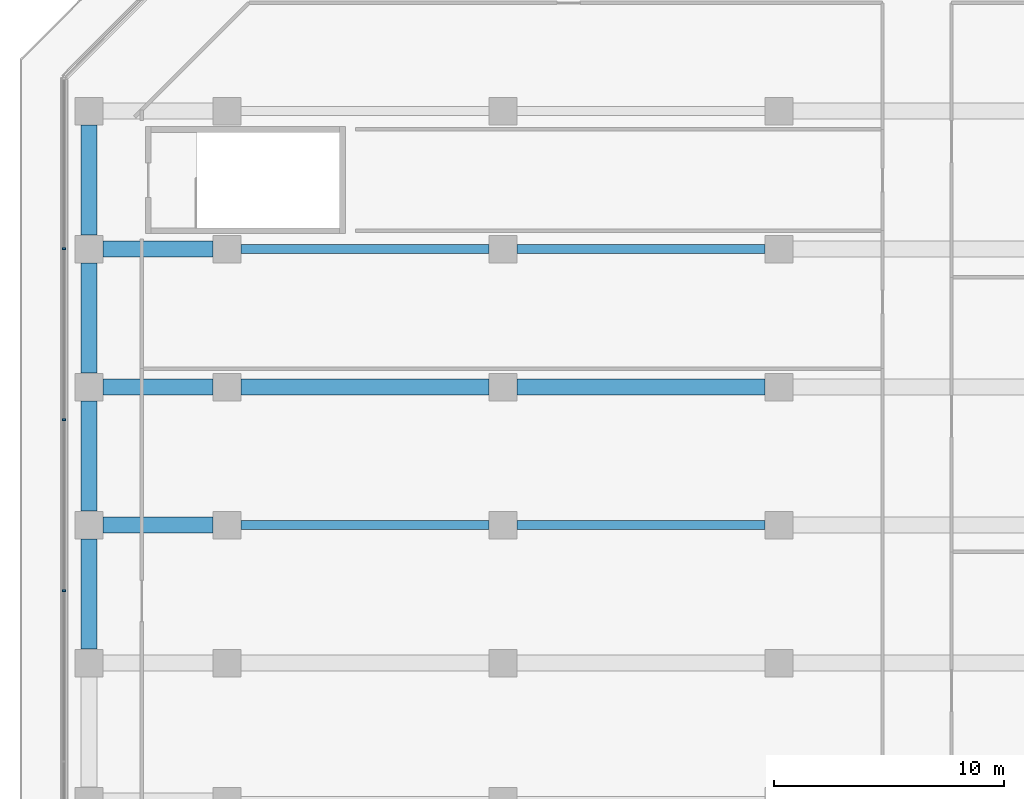
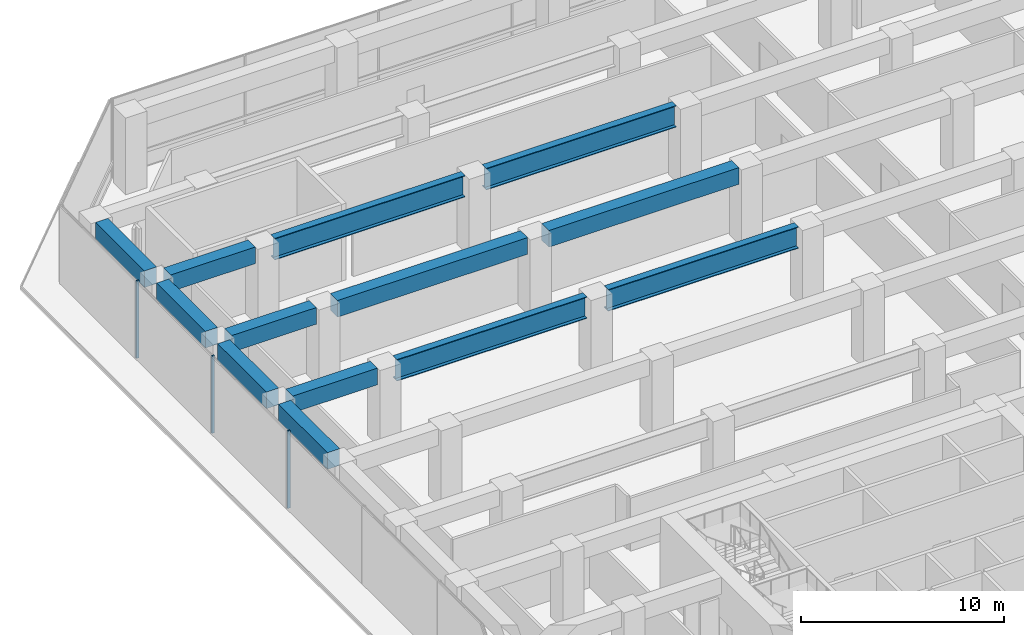
# One storey, part 17 of 40: 13 beams, 3 members, 1 element without a shape of its own.
"""IFC4 building model written with IfcOpenShell, lengths in metres."""

from ifc_helpers import new_model, si_unit, direction, frame, origin, origin_2d, place, context, subcontext, project, spatial, rectangle, i_section, extrude, material, layer, layer_set, material_profile, profile_set, type_object, element, aggregate, save


model = new_model("IFC4")

# Units and contexts
model_context = context("Model", 3, precision=1e-05, world=origin(), true_north=direction((0.0, 1.0)))
body_context = subcontext(model_context, "Body", "Model", "MODEL_VIEW")
ifc_project = project(units=[si_unit("LENGTHUNIT", "METRE"), si_unit("AREAUNIT", "SQUARE_METRE"), si_unit("VOLUMEUNIT", "CUBIC_METRE"), si_unit("PLANEANGLEUNIT", "RADIAN"), si_unit("MASSUNIT", "GRAM", prefix="KILO")], contexts=[model_context])

# Site, building, storey
site_placement = place(None, origin())
site = spatial("IfcSite", under=ifc_project, at=site_placement, CompositionType="ELEMENT")
building_placement = place(site_placement, origin())
building = spatial("IfcBuilding", under=site, at=building_placement, Name="Welwitschia Terrace Campus", CompositionType="ELEMENT")
storey_placement = place(building_placement, frame((0.0, 0.0, 6.0)))
storey = spatial("IfcBuildingStorey", under=building, at=storey_placement, Name="L01", CompositionType="ELEMENT", Elevation=6.0)

# Beams
ifc_material_1 = material(Name="Concrete C60/75", Category="concrete")
ifc_material_profile_1 = material_profile(ifc_material_1, rectangle(XDim=0.699951171875, YDim=1.0, at=origin_2d()))
ifc_profile_set_1 = profile_set([ifc_material_profile_1], Name="Concrete C60/75")
beam_type_1 = type_object("IfcBeamType", Name="Base block beam 700x1000", PredefinedType="BEAM", material=ifc_profile_set_1)
for number, where, z_axis, x_axis, name in (
    (1, (-5.3994140625, 44.0, 4.10009765625), (1.0, 0.0, 0.0), (0.0, 1.0, 0.0), "Beam BB1"),
    (2, (-5.3994140625, 50.0, 4.10009765625), (1.0, 0.0, 0.0), (0.0, 1.0, 0.0), "Beam BB1"),
):
    element("IfcBeam", number, at=place(storey_placement, frame(where, z_axis=z_axis, x_axis=x_axis)), inside=storey, type_object=beam_type_1, Name=name, PredefinedType="BEAM", context=body_context, shape_type="SweptSolid", body=[
        extrude(rectangle(XDim=0.699951171875, YDim=1.0, at=origin_2d()), origin(), (0.0, 0.0, 1.0), 4.798828125),
    ])
for number, where, z_axis, x_axis, name in (
    (3, (0.6005859375, 50.0, 4.10009765625), (1.0, 0.0, 0.0), (0.0, 1.0, 0.0), "Beam BB1"),
    (4, (12.6005859375, 50.0, 4.10009765625), (1.0, 0.0, 0.0), (0.0, 1.0, 0.0), "Beam BB1"),
):
    element("IfcBeam", number, at=place(storey_placement, frame(where, z_axis=z_axis, x_axis=x_axis)), inside=storey, type_object=beam_type_1, Name=name, PredefinedType="BEAM", context=body_context, shape_type="SweptSolid", body=[
        extrude(rectangle(XDim=0.699951171875, YDim=1.0, at=origin_2d()), origin(), (0.0, 0.0, 1.0), 10.798828125),
    ])
for number, where, z_axis, x_axis, name in (
    (5, (-5.3994140625, 56.0, 4.10009765625), (1.0, 0.0, 0.0), (0.0, 1.0, 0.0), "Beam BB1"),
    (6, (-6.0, 38.6005859375, 4.10009765625), (0.0, 1.0, 0.0), (-1.0, 0.0, 0.0), "Beam BB1"),
    (7, (-6.0, 44.6005859375, 4.10009765625), (0.0, 1.0, 0.0), (-1.0, 0.0, 0.0), "Beam BB1"),
    (8, (-6.0, 50.6005859375, 4.10009765625), (0.0, 1.0, 0.0), (-1.0, 0.0, 0.0), "Beam BB1"),
    (9, (-6.0, 56.6005859375, 4.10009765625), (0.0, 1.0, 0.0), (-1.0, 0.0, 0.0), "Beam BB1"),
):
    element("IfcBeam", number, at=place(storey_placement, frame(where, z_axis=z_axis, x_axis=x_axis)), inside=storey, type_object=beam_type_1, Name=name, PredefinedType="BEAM", context=body_context, shape_type="SweptSolid", body=[
        extrude(rectangle(XDim=0.699951171875, YDim=1.0, at=origin_2d()), origin(), (0.0, 0.0, 1.0), 4.798828125),
    ])

# Curtain wall, members
ifc_material_2 = material(Name="Bronze anodised aluminium", Category="aluminium")
ifc_layer = layer(ifc_material_2, 0.14990234375)
ifc_layer_set = layer_set([ifc_layer], Name="Bronze anodised aluminium")
curtain_wall_type = type_object("IfcCurtainWallType", Name="Curtain wall CW1 podium 7500", PredefinedType="NOTDEFINED", material=ifc_layer_set)
curtain_wall_placement = place(storey_placement, origin())
curtain_wall = element("IfcCurtainWall", 10, at=curtain_wall_placement, inside=storey, type_object=curtain_wall_type, Name="CW L01.6.0", PredefinedType="NOTDEFINED")
ifc_material_3 = material(Name="Bronze anodised aluminium", Category="aluminium")
ifc_material_profile_2 = material_profile(ifc_material_3, rectangle(XDim=0.14990234375, YDim=0.080078125, at=origin_2d()))
ifc_profile_set_2 = profile_set([ifc_material_profile_2], Name="Bronze anodised aluminium")
member_type = type_object("IfcMemberType", Name="Mullion 80x150", PredefinedType="MULLION", material=ifc_profile_set_2)
member_1_placement = place(storey_placement, frame((-7.0849609375, 56.01611328125, 0.0), z_axis=(0.0, 0.0, 1.0), x_axis=(1.0, 0.0, 0.0)))
member_1 = element("IfcMember", 11, at=member_1_placement, type_object=member_type, Name="Mullion L01.6.0.1", PredefinedType="MULLION", context=body_context, shape_type="SweptSolid", body=[
    extrude(rectangle(XDim=0.14990234375, YDim=0.080078125, at=origin_2d()), origin(), (0.0, 0.0, 1.0), 4.64990234375),
])
member_2_placement = place(storey_placement, frame((-7.0849609375, 48.5830078125, 0.0), z_axis=(0.0, 0.0, 1.0), x_axis=(1.0, 0.0, 0.0)))
member_2 = element("IfcMember", 12, at=member_2_placement, type_object=member_type, Name="Mullion L01.6.0.2", PredefinedType="MULLION", context=body_context, shape_type="SweptSolid", body=[
    extrude(rectangle(XDim=0.14990234375, YDim=0.080078125, at=origin_2d()), origin(), (0.0, 0.0, 1.0), 4.64990234375),
])
member_3_placement = place(storey_placement, frame((-7.0849609375, 41.14990234375, 0.0), z_axis=(0.0, 0.0, 1.0), x_axis=(1.0, 0.0, 0.0)))
member_3 = element("IfcMember", 13, at=member_3_placement, type_object=member_type, Name="Mullion L01.6.0.3", PredefinedType="MULLION", context=body_context, shape_type="SweptSolid", body=[
    extrude(rectangle(XDim=0.14990234375, YDim=0.080078125, at=origin_2d()), origin(), (0.0, 0.0, 1.0), 4.64990234375),
])
aggregate(curtain_wall, [member_1, member_2, member_3])

# Beams
ifc_material_4 = material(Name="Steel S355", Category="steel")
ifc_material_profile_3 = material_profile(ifc_material_4, i_section(OverallWidth=0.39990234375, OverallDepth=1.300048828125, WebThickness=0.02490234375, FlangeThickness=0.0400390625, at=origin_2d()))
ifc_profile_set_3 = profile_set([ifc_material_profile_3], Name="Steel S355")
beam_type_2 = type_object("IfcBeamType", Name="Transfer girder WI 1300x400x25x40", PredefinedType="BEAM", material=ifc_profile_set_3)
for number, where, z_axis, x_axis, name in (
    (14, (0.6005859375, 44.0, 3.949951171875), (1.0, 0.0, 0.0), (0.0, 1.0, 0.0), "Transfer girder TG1"),
    (15, (12.6005859375, 44.0, 3.949951171875), (1.0, 0.0, 0.0), (0.0, 1.0, 0.0), "Transfer girder TG1"),
    (16, (0.6005859375, 56.0, 3.949951171875), (1.0, 0.0, 0.0), (0.0, 1.0, 0.0), "Transfer girder TG1"),
    (17, (12.6005859375, 56.0, 3.949951171875), (1.0, 0.0, 0.0), (0.0, 1.0, 0.0), "Transfer girder TG1"),
):
    element("IfcBeam", number, at=place(storey_placement, frame(where, z_axis=z_axis, x_axis=x_axis)), inside=storey, type_object=beam_type_2, Name=name, PredefinedType="BEAM", context=body_context, shape_type="SweptSolid", body=[
        extrude(i_section(OverallWidth=0.39990234375, OverallDepth=1.300048828125, WebThickness=0.02490234375, FlangeThickness=0.0400390625, at=origin_2d()), origin(), (0.0, 0.0, 1.0), 10.798828125),
    ])

save(model, "model.ifc")
